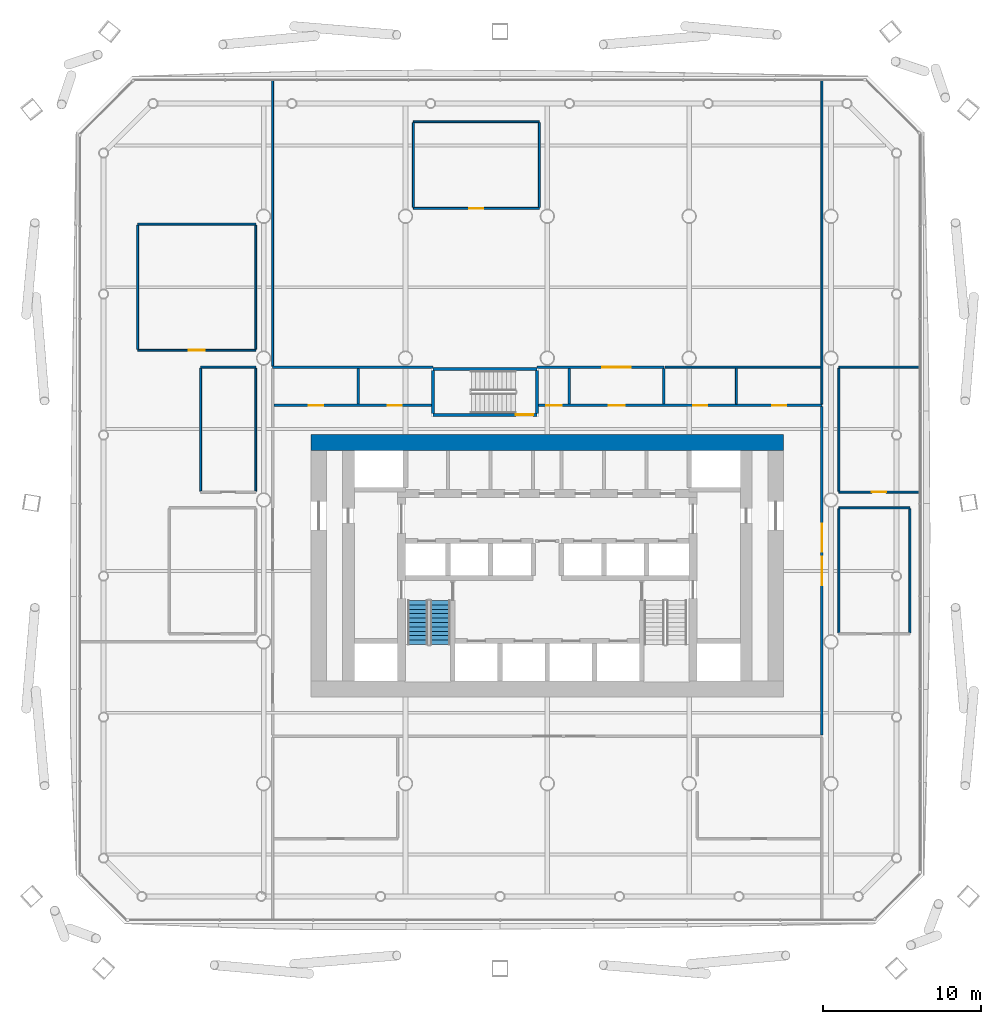
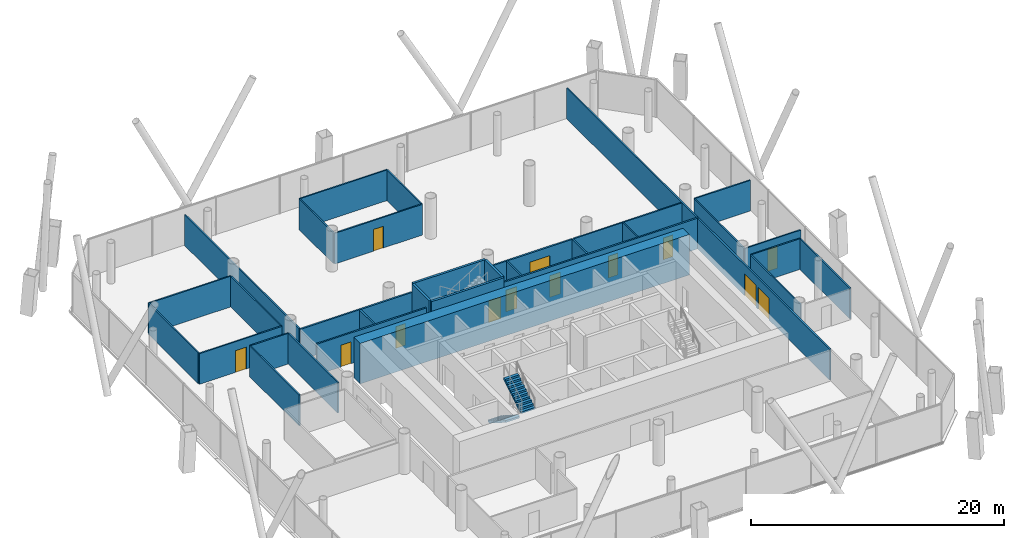
# One storey, part 19 of 25: 34 walls, 13 doors, 2 stair flights, 13 openings, 1 element without a shape of its own.
"""IFC4 building model written with IfcOpenShell, lengths in metres."""

import ifcopenshell
import ifcopenshell.guid

model = None  # the IFC model being written
_history = None  # IfcOwnerHistory: only IFC2X3 demands one
_inside = {}  # id of a spatial element -> (the spatial element, [elements in it])
_under = {}  # id of a project, library or spatial element -> (it, [spatial elements below it])
_declared = {}  # id of a project -> (the project, [libraries it declares])
_typed = {}  # id of a type object -> (the type object, [elements of that type])
_made_of = {}  # id of a material, layer set ... -> (it, [elements and type objects made of it])


def new_model(schema):
    """Start an empty IFC model of exactly this schema.

    Asked for "IFC4X3", IfcOpenShell would pick the latest addendum, in which some entities
    have other attributes; the version numbers below select the first issue.
    IFC2X3 requires an IfcOwnerHistory on every rooted entity: one is made here for all.
    """
    global model, _history
    if schema == "IFC4X3":
        model = ifcopenshell.file(schema_version=(4, 3, 0, 0))
    else:
        model = ifcopenshell.file(schema=schema)
    _inside.clear()
    _under.clear()
    _declared.clear()
    _typed.clear()
    _made_of.clear()
    _history = None
    if model.schema == "IFC2X3":
        org = make("IfcOrganization", Name="unknown")
        user = make(
            "IfcPersonAndOrganization",
            ThePerson=make("IfcPerson", FamilyName="unknown"),
            TheOrganization=org,
        )
        app = make(
            "IfcApplication",
            ApplicationDeveloper=org,
            Version="unknown",
            ApplicationFullName="unknown",
            ApplicationIdentifier="unknown",
        )
        _history = make(
            "IfcOwnerHistory",
            OwningUser=user,
            OwningApplication=app,
            ChangeAction="ADDED",
            CreationDate=0,
        )
    return model


def make(cls, **values):
    """One entity of the class cls with the attributes given. An attribute that is None is left unset."""
    return model.create_entity(
        cls, **{name: value for name, value in values.items() if value is not None}
    )


def rooted(cls, **values):
    """An entity with a GlobalId (a new one), such as an element, a storey or a relation."""
    return make(cls, GlobalId=ifcopenshell.guid.new(), OwnerHistory=_history, **values)


def si_unit(unit_type, name, prefix=None):
    """IfcSIUnit, for example si_unit("LENGTHUNIT", "METRE", prefix="MILLI")."""
    return make("IfcSIUnit", UnitType=unit_type, Prefix=prefix, Name=name)


def assignment(units):
    """IfcUnitAssignment: the units of a project."""
    return None if units is None else make("IfcUnitAssignment", Units=units)


def point(xyz):
    """IfcCartesianPoint."""
    return None if xyz is None else make("IfcCartesianPoint", Coordinates=xyz)


def direction(xyz):
    """IfcDirection."""
    return None if xyz is None else make("IfcDirection", DirectionRatios=xyz)


def frame(location, z_axis=None, x_axis=None):
    """IfcAxis2Placement3D, a coordinate frame: its origin and axes. An axis left out is left unset."""
    return make(
        "IfcAxis2Placement3D",
        Location=point(location),
        Axis=direction(z_axis),
        RefDirection=direction(x_axis),
    )


def frame_2d(location, x_axis=None):
    """IfcAxis2Placement2D, a coordinate frame in the plane: its origin and x axis."""
    return make(
        "IfcAxis2Placement2D", Location=point(location), RefDirection=direction(x_axis)
    )


def origin():
    """The frame at (0, 0, 0) with its axes left unset."""
    return frame((0.0, 0.0, 0.0))


def place(relative_to, where):
    """IfcLocalPlacement: puts the frame where relative to a parent placement (None: the world)."""
    return make(
        "IfcLocalPlacement", PlacementRelTo=relative_to, RelativePlacement=where
    )


def context(
    kind, dimensions, precision=None, world=None, true_north=None, identifier=None
):
    """IfcGeometricRepresentationContext, for example the 3D "Model" context."""
    return make(
        "IfcGeometricRepresentationContext",
        ContextIdentifier=identifier,
        ContextType=kind,
        CoordinateSpaceDimension=dimensions,
        Precision=precision,
        WorldCoordinateSystem=world,
        TrueNorth=true_north,
    )


def subcontext(parent, identifier, kind, view, scale=None):
    """IfcGeometricRepresentationSubContext, for example "Body" below "Model"."""
    return make(
        "IfcGeometricRepresentationSubContext",
        ContextIdentifier=identifier,
        ContextType=kind,
        ParentContext=parent,
        TargetScale=scale,
        TargetView=view,
    )


def project(units=None, contexts=None):
    """IfcProject with its units and contexts."""
    return rooted(
        "IfcProject",
        Name="project",
        RepresentationContexts=contexts,
        UnitsInContext=assignment(units),
    )


def spatial(cls, under=None, at=None, **own):
    """A site, building, storey or space (cls), placed at a placement, below another one or the project."""
    s = rooted(cls, ObjectPlacement=at, **own)
    if under is not None:
        _under.setdefault(under.id(), (under, []))[1].append(s)
    return s


def polyline(points):
    """IfcPolyline through the points."""
    return make("IfcPolyline", Points=[point(p) for p in points])


def profile(cls, at=None, kind="AREA", **sizes):
    """A parametric profile (cls). Its sizes go by their IFC names, for example OverallWidth=200.0."""
    return make(cls, ProfileType=kind, Position=at, **sizes)


def rectangle(**sizes):
    """IfcRectangleProfileDef."""
    return profile("IfcRectangleProfileDef", **sizes)


def outline(outer, holes=None, kind="AREA"):
    """IfcArbitraryClosedProfileDef: a profile drawn as a closed curve; with holes, ...WithVoids."""
    if holes is None:
        return make("IfcArbitraryClosedProfileDef", ProfileType=kind, OuterCurve=outer)
    return make(
        "IfcArbitraryProfileDefWithVoids",
        ProfileType=kind,
        OuterCurve=outer,
        InnerCurves=holes,
    )


def extrude(swept, where, along, depth):
    """IfcExtrudedAreaSolid: the profile swept, set in the frame where, extruded along a direction by depth."""
    return make(
        "IfcExtrudedAreaSolid",
        SweptArea=swept,
        Position=where,
        ExtrudedDirection=direction(along),
        Depth=depth,
    )


def shape(context_of_items, identifier, shape_type, items):
    """IfcShapeRepresentation: the items that make up one representation, for example the "Body"."""
    return make(
        "IfcShapeRepresentation",
        ContextOfItems=context_of_items,
        RepresentationIdentifier=identifier,
        RepresentationType=shape_type,
        Items=items,
    )


def material(Name=None, Category=None):
    """IfcMaterial."""
    return make("IfcMaterial", Name=Name, Category=Category)


def layer(
    of_material, thickness, ventilated=None, Name=None, Category=None, Priority=None
):
    """IfcMaterialLayer: one layer of a wall or slab, of a material (None: an air gap)."""
    return make(
        "IfcMaterialLayer",
        Material=of_material,
        LayerThickness=thickness,
        IsVentilated=ventilated,
        Name=Name,
        Category=Category,
        Priority=Priority,
    )


def layer_set(layers, Name=None):
    """IfcMaterialLayerSet."""
    return make("IfcMaterialLayerSet", MaterialLayers=layers, LayerSetName=Name)


def made_of(thing, what):
    """Note that an element or type object is made of a material, layer set ...; save() writes the relation."""
    if what is not None:
        _made_of.setdefault(what.id(), (what, []))[1].append(thing)
    return thing


def type_object(cls, material=None, **own):
    """A type object (cls), such as IfcWallType, which elements share."""
    return made_of(rooted(cls, **own), material)


def element(
    cls,
    number,
    at=None,
    inside=None,
    cuts=None,
    type_object=None,
    material=None,
    context=None,
    identifier="Body",
    shape_type=None,
    held_by="IfcProductDefinitionShape",
    body=None,
    shapes=None,
    **own,
):
    """One element of the class cls, such as IfcWall. Its Tag is "e" and its number.

    at: its placement. inside: the storey or other place that contains it. cuts: it is an
    opening in that element (IfcRelVoidsElement). A single representation is given by context,
    identifier, shape_type and body (its items); several are given by shapes. held_by: the class
    of the entity that holds the representations. save() writes the other relations.
    """
    e = rooted(cls, Tag="e%d" % number, ObjectPlacement=at, **own)
    if body is not None:
        shapes = [shape(context, identifier, shape_type, body)]
    if shapes is not None:
        e.Representation = make(held_by, Representations=shapes)
    if inside is not None:
        _inside.setdefault(inside.id(), (inside, []))[1].append(e)
    if cuts is not None:
        rooted(
            "IfcRelVoidsElement", RelatingBuildingElement=cuts, RelatedOpeningElement=e
        )
    if type_object is not None:
        _typed.setdefault(type_object.id(), (type_object, []))[1].append(e)
    return made_of(e, material)


def fill(opening, filler):
    """IfcRelFillsElement: the door or window that sits in an opening."""
    return rooted(
        "IfcRelFillsElement",
        RelatingOpeningElement=opening,
        RelatedBuildingElement=filler,
    )


def aggregate(whole, parts):
    """IfcRelAggregates: a whole, such as a stair, and the parts it consists of."""
    return rooted("IfcRelAggregates", RelatingObject=whole, RelatedObjects=parts)


def save(model, path):
    """Write the relations noted so far, then the file.

    IfcRelAggregates (storeys below a building ...), IfcRelContainedInSpatialStructure (elements
    in a storey), IfcRelDefinesByType, IfcRelAssociatesMaterial and IfcRelDeclares: one each for
    every whole, place, type object, material and project.
    """
    for whole, parts in _under.values():
        aggregate(whole, parts)
    for where, things in _inside.values():
        rooted(
            "IfcRelContainedInSpatialStructure",
            RelatedElements=things,
            RelatingStructure=where,
        )
    for kind, things in _typed.values():
        rooted("IfcRelDefinesByType", RelatedObjects=things, RelatingType=kind)
    for what, things in _made_of.values():
        rooted("IfcRelAssociatesMaterial", RelatedObjects=things, RelatingMaterial=what)
    for by, libraries in _declared.values():
        rooted("IfcRelDeclares", RelatingContext=by, RelatedDefinitions=libraries)
    model.write(path)


model = new_model("IFC4")

# Units and contexts
model_context = context("Model", 3, precision=1e-05, world=origin(), true_north=direction((0.0, 1.0)))
body_context = subcontext(model_context, "Body", "Model", "MODEL_VIEW")
ifc_project = project(units=[si_unit("LENGTHUNIT", "METRE"), si_unit("AREAUNIT", "SQUARE_METRE"), si_unit("VOLUMEUNIT", "CUBIC_METRE"), si_unit("PLANEANGLEUNIT", "RADIAN"), si_unit("MASSUNIT", "GRAM", prefix="KILO")], contexts=[model_context])

# Site, building, storey
site_placement = place(None, origin())
site = spatial("IfcSite", under=ifc_project, at=site_placement, CompositionType="ELEMENT")
building_placement = place(site_placement, origin())
building = spatial("IfcBuilding", under=site, at=building_placement, Name="Tskaro Facet Tower", CompositionType="ELEMENT")
storey_placement = place(building_placement, frame((0.0, 0.0, 34.199951171875)))
storey = spatial("IfcBuildingStorey", under=building, at=storey_placement, Name="L07", CompositionType="ELEMENT", Elevation=34.199951171875)

# Walls
ifc_material_1 = material(Name="Concrete C60/75", Category="concrete")
ifc_layer_1 = layer(ifc_material_1, 1.0, Name="Concrete C60/75")
ifc_layer_set_1 = layer_set([ifc_layer_1], Name="Concrete C60/75")
wall_type_1 = type_object("IfcWallType", Name="Core wall 1000", PredefinedType="SHEAR", material=ifc_layer_set_1)
wall_1_placement = place(storey_placement, frame((-15.0, 3.64990234375, 0.0), z_axis=(0.0, 0.0, 1.0), x_axis=(1.0, 0.0, 0.0)))
element("IfcWall", 1, at=wall_1_placement, inside=storey, type_object=wall_type_1, Name="Core wall CW-Z1N", PredefinedType="SHEAR", context=body_context, shape_type="SweptSolid", body=[
    extrude(rectangle(XDim=30.0, YDim=1.0, at=frame_2d((15.0, 0.0))), origin(), (0.0, 0.0, 1.0), 3.900146484375),
])
ifc_material_2 = material(Name="Gypsum board on steel studs", Category="steel")
ifc_layer_2 = layer(ifc_material_2, 0.125, Name="Gypsum board on steel studs")
ifc_layer_set_2 = layer_set([ifc_layer_2], Name="Gypsum board on steel studs")
wall_type_2 = type_object("IfcWallType", Name="PART", PredefinedType="PARTITIONING", material=ifc_layer_set_2)
wall_2_placement = place(storey_placement, frame((18.5, -0.5, 0.0), z_axis=(0.0, 0.0, 1.0), x_axis=(1.0, 0.0, 0.0)))
element("IfcWall", 2, at=wall_2_placement, inside=storey, type_object=wall_type_2, Name="Partition W016", PredefinedType="PARTITIONING", context=body_context, shape_type="SweptSolid", body=[
    extrude(rectangle(XDim=4.5, YDim=0.125, at=frame_2d((2.25, 0.0))), origin(), (0.0, 0.0, 1.0), 2.9599609375),
])

# Wall, opening, door
wall_3_placement = place(storey_placement, frame((18.5, 0.5, 0.0), z_axis=(0.0, 0.0, 1.0), x_axis=(1.0, 0.0, 0.0)))
wall_3 = element("IfcWall", 3, at=wall_3_placement, inside=storey, type_object=wall_type_2, Name="Partition W018", PredefinedType="PARTITIONING", context=body_context, shape_type="SweptSolid", body=[
    extrude(rectangle(XDim=5.10400390625, YDim=0.125, at=frame_2d((2.552001953125, 0.0))), origin(), (0.0, 0.0, 1.0), 2.9599609375),
])
opening_1_placement = place(wall_3_placement, frame((2.10205078125, 0.0, 0.0)))
opening_1 = element("IfcOpeningElement", 4, at=opening_1_placement, cuts=wall_3, Name="Opening T2-D28", PredefinedType="OPENING", context=body_context, shape_type="SweptSolid", body=[
    extrude(rectangle(XDim=0.89990234375, YDim=2.10009765625, at=frame_2d((0.449951171875, 1.050048828125))), frame((0.0, 0.072509765625, 0.0), z_axis=(0.0, -1.0, 0.0), x_axis=(1.0, 0.0, 0.0)), (0.0, 0.0, 1.0), 0.14501953125),
])
ifc_material_3 = material(Name="Timber", Category="wood")
door_type_1 = type_object("IfcDoorType", Name="D-ROOM", OperationType="NOTDEFINED", PredefinedType="DOOR", material=ifc_material_3)
door_1_placement = place(opening_1_placement, origin())
door_1 = element("IfcDoor", 5, at=door_1_placement, inside=storey, type_object=door_type_1, Name="Door T2-D28", OperationType="SINGLE_SWING_LEFT", OverallHeight=2.10009765625, OverallWidth=0.89990234375, PredefinedType="DOOR", context=body_context, shape_type="SweptSolid", body=[
    extrude(rectangle(XDim=0.89990234375, YDim=2.10009765625, at=frame_2d((0.449951171875, 1.050048828125))), frame((0.0, 0.02490234375, 0.0), z_axis=(0.0, -1.0, 0.0), x_axis=(1.0, 0.0, 0.0)), (0.0, 0.0, 1.0), 0.050048828125),
])
fill(opening_1, door_1)

# Walls
wall_4_placement = place(storey_placement, frame((-22.0, 8.425048828125, 0.0), z_axis=(0.0, 0.0, 1.0), x_axis=(1.0, 0.0, 0.0)))
element("IfcWall", 6, at=wall_4_placement, inside=storey, type_object=wall_type_2, Name="Partition W025", PredefinedType="PARTITIONING", context=body_context, shape_type="SweptSolid", body=[
    extrude(rectangle(XDim=3.5, YDim=0.125, at=frame_2d((1.75, 0.0))), origin(), (0.0, 0.0, 1.0), 2.9599609375),
])
wall_5_placement = place(storey_placement, frame((7.47509765625, 8.425048828125, 0.0), z_axis=(0.0, 0.0, 1.0), x_axis=(1.0, 0.0, 0.0)))
element("IfcWall", 7, at=wall_5_placement, inside=storey, type_object=wall_type_2, Name="Partition W028", PredefinedType="PARTITIONING", context=body_context, shape_type="SweptSolid", body=[
    extrude(rectangle(XDim=9.887451171875, YDim=0.125, at=frame_2d((4.94384765625, 0.0))), origin(), (0.0, 0.0, 1.0), 2.9599609375),
])
wall_6_placement = place(storey_placement, frame((18.5, 8.425048828125, 0.0), z_axis=(0.0, 0.0, 1.0), x_axis=(1.0, 0.0, 0.0)))
element("IfcWall", 8, at=wall_6_placement, inside=storey, type_object=wall_type_2, Name="Partition W029", PredefinedType="PARTITIONING", context=body_context, shape_type="SweptSolid", body=[
    extrude(rectangle(XDim=5.10400390625, YDim=0.125, at=frame_2d((2.552001953125, 0.0))), origin(), (0.0, 0.0, 1.0), 2.9599609375),
])

# Wall, opening, door
wall_7_placement = place(storey_placement, frame((-26.0, 9.5, 0.0), z_axis=(0.0, 0.0, 1.0), x_axis=(1.0, 0.0, 0.0)))
wall_7 = element("IfcWall", 9, at=wall_7_placement, inside=storey, type_object=wall_type_2, Name="Partition W030", PredefinedType="PARTITIONING", context=body_context, shape_type="SweptSolid", body=[
    extrude(rectangle(XDim=7.5, YDim=0.125, at=frame_2d((3.75, 0.0))), origin(), (0.0, 0.0, 1.0), 2.9599609375),
])
opening_2_placement = place(wall_7_placement, frame((3.25, 0.0, 0.0)))
opening_2 = element("IfcOpeningElement", 10, at=opening_2_placement, cuts=wall_7, Name="Opening T2-D38", PredefinedType="OPENING", context=body_context, shape_type="SweptSolid", body=[
    extrude(rectangle(XDim=1.0, YDim=2.10009765625, at=frame_2d((0.5, 1.050048828125))), frame((0.0, 0.072509765625, 0.0), z_axis=(0.0, -1.0, 0.0), x_axis=(1.0, 0.0, 0.0)), (0.0, 0.0, 1.0), 0.14501953125),
])
door_type_2 = type_object("IfcDoorType", Name="D-ROOM-WIDE", OperationType="NOTDEFINED", PredefinedType="DOOR", material=ifc_material_3)
door_2_placement = place(opening_2_placement, origin())
door_2 = element("IfcDoor", 11, at=door_2_placement, inside=storey, type_object=door_type_2, Name="Door T2-D38", OperationType="SINGLE_SWING_LEFT", OverallHeight=2.10009765625, OverallWidth=1.0, PredefinedType="DOOR", context=body_context, shape_type="SweptSolid", body=[
    extrude(rectangle(XDim=1.0, YDim=2.10009765625, at=frame_2d((0.5, 1.050048828125))), frame((0.0, 0.02490234375, 0.0), z_axis=(0.0, -1.0, 0.0), x_axis=(1.0, 0.0, 0.0)), (0.0, 0.0, 1.0), 0.050048828125),
])
fill(opening_2, door_2)

# Wall
wall_8_placement = place(storey_placement, frame((-26.0, 17.5, 0.0), z_axis=(0.0, 0.0, 1.0), x_axis=(1.0, 0.0, 0.0)))
element("IfcWall", 12, at=wall_8_placement, inside=storey, type_object=wall_type_2, Name="Partition W031", PredefinedType="PARTITIONING", context=body_context, shape_type="SweptSolid", body=[
    extrude(rectangle(XDim=7.5, YDim=0.125, at=frame_2d((3.75, 0.0))), origin(), (0.0, 0.0, 1.0), 2.9599609375),
])

# Wall, opening, door
wall_9_placement = place(storey_placement, frame((-8.5, 18.5, 0.0), z_axis=(0.0, 0.0, 1.0), x_axis=(1.0, 0.0, 0.0)))
wall_9 = element("IfcWall", 13, at=wall_9_placement, inside=storey, type_object=wall_type_2, Name="Partition W032", PredefinedType="PARTITIONING", context=body_context, shape_type="SweptSolid", body=[
    extrude(rectangle(XDim=8.0, YDim=0.125, at=frame_2d((4.0, 0.0))), origin(), (0.0, 0.0, 1.0), 2.9599609375),
])
opening_3_placement = place(wall_9_placement, frame((3.550048828125, 0.0, 0.0)))
opening_3 = element("IfcOpeningElement", 14, at=opening_3_placement, cuts=wall_9, Name="Opening T2-D39", PredefinedType="OPENING", context=body_context, shape_type="SweptSolid", body=[
    extrude(rectangle(XDim=0.89990234375, YDim=2.10009765625, at=frame_2d((0.449951171875, 1.050048828125))), frame((0.0, 0.072509765625, 0.0), z_axis=(0.0, -1.0, 0.0), x_axis=(1.0, 0.0, 0.0)), (0.0, 0.0, 1.0), 0.14501953125),
])
door_3_placement = place(opening_3_placement, origin())
door_3 = element("IfcDoor", 15, at=door_3_placement, inside=storey, type_object=door_type_1, Name="Door T2-D39", OperationType="SINGLE_SWING_LEFT", OverallHeight=2.10009765625, OverallWidth=0.89990234375, PredefinedType="DOOR", context=body_context, shape_type="SweptSolid", body=[
    extrude(rectangle(XDim=0.89990234375, YDim=2.10009765625, at=frame_2d((0.449951171875, 1.050048828125))), frame((0.0, 0.02490234375, 0.0), z_axis=(0.0, -1.0, 0.0), x_axis=(1.0, 0.0, 0.0)), (0.0, 0.0, 1.0), 0.050048828125),
])
fill(opening_3, door_3)

# Walls
wall_10_placement = place(storey_placement, frame((-8.5, 24.0, 0.0), z_axis=(0.0, 0.0, 1.0), x_axis=(1.0, 0.0, 0.0)))
element("IfcWall", 16, at=wall_10_placement, inside=storey, type_object=wall_type_2, Name="Partition W033", PredefinedType="PARTITIONING", context=body_context, shape_type="SweptSolid", body=[
    extrude(rectangle(XDim=8.0, YDim=0.125, at=frame_2d((4.0, 0.0))), origin(), (0.0, 0.0, 1.0), 2.9599609375),
])
wall_11_placement = place(storey_placement, frame((-26.0, 9.5625, 0.0), z_axis=(0.0, 0.0, 1.0), x_axis=(0.0, 1.0, 0.0)))
element("IfcWall", 17, at=wall_11_placement, inside=storey, type_object=wall_type_2, Name="Partition W034", PredefinedType="PARTITIONING", context=body_context, shape_type="SweptSolid", body=[
    extrude(rectangle(XDim=7.875, YDim=0.125, at=frame_2d((3.9375, 0.0))), origin(), (0.0, 0.0, 1.0), 2.9599609375),
])
for number, where, z_axis, x_axis, name in (
    (18, (-22.0, 0.5625, 0.0), (0.0, 0.0, 1.0), (0.0, 1.0, 0.0), "Partition W036"),
    (19, (-18.5, 0.5625, 0.0), (0.0, 0.0, 1.0), (0.0, 1.0, 0.0), "Partition W038"),
):
    element("IfcWall", number, at=place(storey_placement, frame(where, z_axis=z_axis, x_axis=x_axis)), inside=storey, type_object=wall_type_2, Name=name, PredefinedType="PARTITIONING", context=body_context, shape_type="SweptSolid", body=[
        extrude(rectangle(XDim=7.800048828125, YDim=0.125, at=frame_2d((3.89990234375, 0.0))), origin(), (0.0, 0.0, 1.0), 2.9599609375),
    ])
wall_12_placement = place(storey_placement, frame((-18.5, 9.5625, 0.0), z_axis=(0.0, 0.0, 1.0), x_axis=(0.0, 1.0, 0.0)))
element("IfcWall", 20, at=wall_12_placement, inside=storey, type_object=wall_type_2, Name="Partition W039", PredefinedType="PARTITIONING", context=body_context, shape_type="SweptSolid", body=[
    extrude(rectangle(XDim=7.875, YDim=0.125, at=frame_2d((3.9375, 0.0))), origin(), (0.0, 0.0, 1.0), 2.9599609375),
])
wall_13_placement = place(storey_placement, frame((-17.425048828125, 8.5, 0.0), z_axis=(0.0, 0.0, 1.0), x_axis=(0.0, 1.0, 0.0)))
element("IfcWall", 21, at=wall_13_placement, inside=storey, type_object=wall_type_2, Name="Partition W042", PredefinedType="PARTITIONING", context=body_context, shape_type="SweptSolid", body=[
    extrude(rectangle(XDim=18.10400390625, YDim=0.125, at=frame_2d((9.052001953125, 0.0))), origin(), (0.0, 0.0, 1.0), 2.9599609375),
])
for number, where, z_axis, x_axis, name in (
    (22, (-8.5, 18.5625, 0.0), (0.0, 0.0, 1.0), (0.0, 1.0, 0.0), "Partition W047"),
    (23, (-0.5, 18.5625, 0.0), (0.0, 0.0, 1.0), (0.0, 1.0, 0.0), "Partition W058"),
):
    element("IfcWall", number, at=place(storey_placement, frame(where, z_axis=z_axis, x_axis=x_axis)), inside=storey, type_object=wall_type_2, Name=name, PredefinedType="PARTITIONING", context=body_context, shape_type="SweptSolid", body=[
        extrude(rectangle(XDim=5.375, YDim=0.125, at=frame_2d((2.6875, 0.0))), origin(), (0.0, 0.0, 1.0), 2.9599609375),
    ])
wall_14_placement = place(storey_placement, frame((12.0, 6.074951171875, 0.0), z_axis=(0.0, 0.0, 1.0), x_axis=(0.0, 1.0, 0.0)))
element("IfcWall", 24, at=wall_14_placement, inside=storey, type_object=wall_type_2, Name="Partition W073", PredefinedType="PARTITIONING", context=body_context, shape_type="SweptSolid", body=[
    extrude(rectangle(XDim=2.28759765625, YDim=0.125, at=frame_2d((1.143798828125, 0.0))), origin(), (0.0, 0.0, 1.0), 2.9599609375),
])
wall_15_placement = place(storey_placement, frame((17.425048828125, 6.074951171875, 0.0), z_axis=(0.0, 0.0, 1.0), x_axis=(0.0, 1.0, 0.0)))
element("IfcWall", 25, at=wall_15_placement, inside=storey, type_object=wall_type_2, Name="Partition W076", PredefinedType="PARTITIONING", context=body_context, shape_type="SweptSolid", body=[
    extrude(rectangle(XDim=20.529052734375, YDim=0.125, at=frame_2d((10.2646484375, 0.0))), origin(), (0.0, 0.0, 1.0), 2.9599609375),
])
wall_16_placement = place(storey_placement, frame((18.5, -8.4375, 0.0), z_axis=(0.0, 0.0, 1.0), x_axis=(0.0, 1.0, 0.0)))
element("IfcWall", 26, at=wall_16_placement, inside=storey, type_object=wall_type_2, Name="Partition W077", PredefinedType="PARTITIONING", context=body_context, shape_type="SweptSolid", body=[
    extrude(rectangle(XDim=7.875, YDim=0.125, at=frame_2d((3.9375, 0.0))), origin(), (0.0, 0.0, 1.0), 2.9599609375),
])
wall_17_placement = place(storey_placement, frame((18.5, 0.5625, 0.0), z_axis=(0.0, 0.0, 1.0), x_axis=(0.0, 1.0, 0.0)))
element("IfcWall", 27, at=wall_17_placement, inside=storey, type_object=wall_type_2, Name="Partition W078", PredefinedType="PARTITIONING", context=body_context, shape_type="SweptSolid", body=[
    extrude(rectangle(XDim=7.800048828125, YDim=0.125, at=frame_2d((3.89990234375, 0.0))), origin(), (0.0, 0.0, 1.0), 2.9599609375),
])
wall_18_placement = place(storey_placement, frame((23.0, -8.4375, 0.0), z_axis=(0.0, 0.0, 1.0), x_axis=(0.0, 1.0, 0.0)))
element("IfcWall", 28, at=wall_18_placement, inside=storey, type_object=wall_type_2, Name="Partition W079", PredefinedType="PARTITIONING", context=body_context, shape_type="SweptSolid", body=[
    extrude(rectangle(XDim=7.875, YDim=0.125, at=frame_2d((3.9375, 0.0))), origin(), (0.0, 0.0, 1.0), 2.9599609375),
])

# Wall, openings, doors
ifc_layer_3 = layer(ifc_material_2, 0.14990234375, Name="Gypsum board on steel studs")
ifc_layer_set_3 = layer_set([ifc_layer_3], Name="Gypsum board on steel studs")
wall_type_3 = type_object("IfcWallType", Name="PART-CORR", PredefinedType="PARTITIONING", material=ifc_layer_set_3)
wall_19_placement = place(storey_placement, frame((-17.35009765625, 6.0, 0.0), z_axis=(0.0, 0.0, 1.0), x_axis=(1.0, 0.0, 0.0)))
wall_19 = element("IfcWall", 29, at=wall_19_placement, inside=storey, type_object=wall_type_3, Name="Corridor wall W022", PredefinedType="PARTITIONING", context=body_context, shape_type="SweptSolid", body=[
    extrude(rectangle(XDim=10.0, YDim=0.14990234375, at=frame_2d((5.0, 0.0))), origin(), (0.0, 0.0, 1.0), 2.9599609375),
])
opening_4_placement = place(wall_19_placement, frame((2.22509765625, 0.0, 0.0)))
opening_4 = element("IfcOpeningElement", 30, at=opening_4_placement, cuts=wall_19, Name="Opening T2-D31", PredefinedType="OPENING", context=body_context, shape_type="SweptSolid", body=[
    extrude(rectangle(XDim=0.89990234375, YDim=2.10009765625, at=frame_2d((0.449951171875, 1.050048828125))), frame((0.0, 0.0849609375, 0.0), z_axis=(0.0, -1.0, 0.0), x_axis=(1.0, 0.0, 0.0)), (0.0, 0.0, 1.0), 0.169921875),
])
opening_5_placement = place(wall_19_placement, frame((7.22509765625, 0.0, 0.0)))
opening_5 = element("IfcOpeningElement", 31, at=opening_5_placement, cuts=wall_19, Name="Opening T2-D32", PredefinedType="OPENING", context=body_context, shape_type="SweptSolid", body=[
    extrude(rectangle(XDim=0.89990234375, YDim=2.10009765625, at=frame_2d((0.449951171875, 1.050048828125))), frame((0.0, 0.0849609375, 0.0), z_axis=(0.0, -1.0, 0.0), x_axis=(1.0, 0.0, 0.0)), (0.0, 0.0, 1.0), 0.169921875),
])
door_4_placement = place(opening_4_placement, origin())
door_4 = element("IfcDoor", 32, at=door_4_placement, inside=storey, type_object=door_type_1, Name="Door T2-D31", OperationType="SINGLE_SWING_LEFT", OverallHeight=2.10009765625, OverallWidth=0.89990234375, PredefinedType="DOOR", context=body_context, shape_type="SweptSolid", body=[
    extrude(rectangle(XDim=0.89990234375, YDim=2.10009765625, at=frame_2d((0.449951171875, 1.050048828125))), frame((0.0, 0.02490234375, 0.0), z_axis=(0.0, -1.0, 0.0), x_axis=(1.0, 0.0, 0.0)), (0.0, 0.0, 1.0), 0.050048828125),
])
fill(opening_4, door_4)
door_5_placement = place(opening_5_placement, origin())
door_5 = element("IfcDoor", 33, at=door_5_placement, inside=storey, type_object=door_type_1, Name="Door T2-D32", OperationType="SINGLE_SWING_LEFT", OverallHeight=2.10009765625, OverallWidth=0.89990234375, PredefinedType="DOOR", context=body_context, shape_type="SweptSolid", body=[
    extrude(rectangle(XDim=0.89990234375, YDim=2.10009765625, at=frame_2d((0.449951171875, 1.050048828125))), frame((0.0, 0.02490234375, 0.0), z_axis=(0.0, -1.0, 0.0), x_axis=(1.0, 0.0, 0.0)), (0.0, 0.0, 1.0), 0.050048828125),
])
fill(opening_5, door_5)

wall_20_placement = place(storey_placement, frame((17.425048828125, 6.0, 0.0), z_axis=(0.0, 0.0, 1.0), x_axis=(-1.0, 0.0, 0.0)))
wall_20 = element("IfcWall", 34, at=wall_20_placement, inside=storey, type_object=wall_type_3, Name="Corridor wall W023", PredefinedType="PARTITIONING", context=body_context, shape_type="SweptSolid", body=[
    extrude(rectangle(XDim=17.97509765625, YDim=0.14990234375, at=frame_2d((8.987548828125, 0.0))), origin(), (0.0, 0.0, 1.0), 2.9599609375),
])
opening_6_placement = place(wall_20_placement, frame((12.52490234375, 0.0, 0.0)))
opening_6 = element("IfcOpeningElement", 35, at=opening_6_placement, cuts=wall_20, Name="Opening T2-D34", PredefinedType="OPENING", context=body_context, shape_type="SweptSolid", body=[
    extrude(rectangle(XDim=1.0, YDim=2.10009765625, at=frame_2d((0.5, 1.050048828125))), frame((0.0, 0.0849609375, 0.0), z_axis=(0.0, -1.0, 0.0), x_axis=(1.0, 0.0, 0.0)), (0.0, 0.0, 1.0), 0.169921875),
])
opening_7_placement = place(wall_20_placement, frame((16.5, 0.0, 0.0)))
opening_7 = element("IfcOpeningElement", 36, at=opening_7_placement, cuts=wall_20, Name="Opening T2-D33", PredefinedType="OPENING", context=body_context, shape_type="SweptSolid", body=[
    extrude(rectangle(XDim=1.0, YDim=2.10009765625, at=frame_2d((0.5, 1.050048828125))), frame((0.0, 0.0849609375, 0.0), z_axis=(0.0, -1.0, 0.0), x_axis=(1.0, 0.0, 0.0)), (0.0, 0.0, 1.0), 0.169921875),
])
opening_8_placement = place(wall_20_placement, frame((7.27490234375, 0.0, 0.0)))
opening_8 = element("IfcOpeningElement", 37, at=opening_8_placement, cuts=wall_20, Name="Opening T2-D35", PredefinedType="OPENING", context=body_context, shape_type="SweptSolid", body=[
    extrude(rectangle(XDim=0.89990234375, YDim=2.10009765625, at=frame_2d((0.449951171875, 1.050048828125))), frame((0.0, 0.0849609375, 0.0), z_axis=(0.0, -1.0, 0.0), x_axis=(1.0, 0.0, 0.0)), (0.0, 0.0, 1.0), 0.169921875),
])
opening_9_placement = place(wall_20_placement, frame((2.262451171875, 0.0, 0.0)))
opening_9 = element("IfcOpeningElement", 38, at=opening_9_placement, cuts=wall_20, Name="Opening T2-D36", PredefinedType="OPENING", context=body_context, shape_type="SweptSolid", body=[
    extrude(rectangle(XDim=0.89990234375, YDim=2.10009765625, at=frame_2d((0.449951171875, 1.050048828125))), frame((0.0, 0.0849609375, 0.0), z_axis=(0.0, -1.0, 0.0), x_axis=(1.0, 0.0, 0.0)), (0.0, 0.0, 1.0), 0.169921875),
])
door_type_3 = type_object("IfcDoorType", Name="D-ENTRY", OperationType="NOTDEFINED", PredefinedType="DOOR", material=ifc_material_3)
door_6_placement = place(opening_6_placement, origin())
door_6 = element("IfcDoor", 39, at=door_6_placement, inside=storey, type_object=door_type_3, Name="Door T2-D34", OperationType="SINGLE_SWING_RIGHT", OverallHeight=2.10009765625, OverallWidth=1.0, PredefinedType="DOOR", context=body_context, shape_type="SweptSolid", body=[
    extrude(rectangle(XDim=1.0, YDim=2.10009765625, at=frame_2d((0.5, 1.050048828125))), frame((0.0, 0.02490234375, 0.0), z_axis=(0.0, -1.0, 0.0), x_axis=(1.0, 0.0, 0.0)), (0.0, 0.0, 1.0), 0.050048828125),
])
fill(opening_6, door_6)
door_7_placement = place(opening_8_placement, origin())
door_7 = element("IfcDoor", 40, at=door_7_placement, inside=storey, type_object=door_type_1, Name="Door T2-D35", OperationType="SINGLE_SWING_RIGHT", OverallHeight=2.10009765625, OverallWidth=0.89990234375, PredefinedType="DOOR", context=body_context, shape_type="SweptSolid", body=[
    extrude(rectangle(XDim=0.89990234375, YDim=2.10009765625, at=frame_2d((0.449951171875, 1.050048828125))), frame((0.0, 0.02490234375, 0.0), z_axis=(0.0, -1.0, 0.0), x_axis=(1.0, 0.0, 0.0)), (0.0, 0.0, 1.0), 0.050048828125),
])
fill(opening_8, door_7)
door_8_placement = place(opening_9_placement, origin())
door_8 = element("IfcDoor", 41, at=door_8_placement, inside=storey, type_object=door_type_1, Name="Door T2-D36", OperationType="SINGLE_SWING_RIGHT", OverallHeight=2.10009765625, OverallWidth=0.89990234375, PredefinedType="DOOR", context=body_context, shape_type="SweptSolid", body=[
    extrude(rectangle(XDim=0.89990234375, YDim=2.10009765625, at=frame_2d((0.449951171875, 1.050048828125))), frame((0.0, 0.02490234375, 0.0), z_axis=(0.0, -1.0, 0.0), x_axis=(1.0, 0.0, 0.0)), (0.0, 0.0, 1.0), 0.050048828125),
])
fill(opening_9, door_8)
door_9_placement = place(opening_7_placement, origin())
door_9 = element("IfcDoor", 42, at=door_9_placement, inside=storey, type_object=door_type_2, Name="Door T2-D33", OperationType="SINGLE_SWING_RIGHT", OverallHeight=2.10009765625, OverallWidth=1.0, PredefinedType="DOOR", context=body_context, shape_type="SweptSolid", body=[
    extrude(rectangle(XDim=1.0, YDim=2.10009765625, at=frame_2d((0.5, 1.050048828125))), frame((0.0, 0.02490234375, 0.0), z_axis=(0.0, -1.0, 0.0), x_axis=(1.0, 0.0, 0.0)), (0.0, 0.0, 1.0), 0.050048828125),
])
fill(opening_7, door_9)

# Wall
wall_21_placement = place(storey_placement, frame((-17.425048828125, 8.425048828125, 0.0), z_axis=(0.0, 0.0, 1.0), x_axis=(1.0, 0.0, 0.0)))
element("IfcWall", 43, at=wall_21_placement, inside=storey, type_object=wall_type_3, Name="Corridor wall W026", PredefinedType="PARTITIONING", context=body_context, shape_type="SweptSolid", body=[
    extrude(rectangle(XDim=10.175048828125, YDim=0.14990234375, at=frame_2d((5.08740234375, 0.0))), origin(), (0.0, 0.0, 1.0), 2.9599609375),
])

# Wall, opening, door
wall_22_placement = place(storey_placement, frame((-0.64990234375, 8.425048828125, 0.0), z_axis=(0.0, 0.0, 1.0), x_axis=(1.0, 0.0, 0.0)))
wall_22 = element("IfcWall", 44, at=wall_22_placement, inside=storey, type_object=wall_type_3, Name="Corridor wall W027", PredefinedType="PARTITIONING", context=body_context, shape_type="SweptSolid", body=[
    extrude(rectangle(XDim=8.0498046875, YDim=0.14990234375, at=frame_2d((4.02490234375, 0.0))), origin(), (0.0, 0.0, 1.0), 2.9599609375),
])
opening_10_placement = place(wall_22_placement, frame((4.14990234375, 0.0, 0.0)))
opening_10 = element("IfcOpeningElement", 45, at=opening_10_placement, cuts=wall_22, Name="Opening T2-D37", PredefinedType="OPENING", context=body_context, shape_type="SweptSolid", body=[
    extrude(rectangle(XDim=1.800048828125, YDim=2.10009765625, at=frame_2d((0.89990234375, 1.050048828125))), frame((0.0, 0.0849609375, 0.0), z_axis=(0.0, -1.0, 0.0), x_axis=(1.0, 0.0, 0.0)), (0.0, 0.0, 1.0), 0.169921875),
])
ifc_material_4 = material(Name="Glass", Category="glass")
door_type_4 = type_object("IfcDoorType", Name="D-ENTRY-PAIR", OperationType="NOTDEFINED", PredefinedType="DOOR", material=ifc_material_4)
door_10_placement = place(opening_10_placement, origin())
door_10 = element("IfcDoor", 46, at=door_10_placement, inside=storey, type_object=door_type_4, Name="Door T2-D37", OperationType="DOUBLE_DOOR_SINGLE_SWING", OverallHeight=2.10009765625, OverallWidth=1.800048828125, PredefinedType="DOOR", context=body_context, shape_type="SweptSolid", body=[
    extrude(rectangle(XDim=1.800048828125, YDim=2.10009765625, at=frame_2d((0.89990234375, 1.050048828125))), frame((0.0, 0.02490234375, 0.0), z_axis=(0.0, -1.0, 0.0), x_axis=(1.0, 0.0, 0.0)), (0.0, 0.0, 1.0), 0.050048828125),
])
fill(opening_10, door_10)

# Walls
for number, where, z_axis, x_axis, name in (
    (47, (-12.0, 6.074951171875, 0.0), (0.0, 0.0, 1.0), (0.0, 1.0, 0.0), "Corridor wall W043"),
    (48, (1.39990234375, 6.074951171875, 0.0), (0.0, 0.0, 1.0), (0.0, 1.0, 0.0), "Corridor wall W062"),
    (49, (7.39990234375, 6.074951171875, 0.0), (0.0, 0.0, 1.0), (0.0, 1.0, 0.0), "Corridor wall W069"),
):
    element("IfcWall", number, at=place(storey_placement, frame(where, z_axis=z_axis, x_axis=x_axis)), inside=storey, type_object=wall_type_3, Name=name, PredefinedType="PARTITIONING", context=body_context, shape_type="SweptSolid", body=[
        extrude(rectangle(XDim=2.275146484375, YDim=0.14990234375, at=frame_2d((1.1376953125, 0.0))), origin(), (0.0, 0.0, 1.0), 2.9599609375),
    ])

# Wall, openings, doors
wall_23_placement = place(storey_placement, frame((17.425048828125, -14.925048828125, 0.0), z_axis=(0.0, 0.0, 1.0), x_axis=(0.0, 1.0, 0.0)))
wall_23 = element("IfcWall", 50, at=wall_23_placement, inside=storey, type_object=wall_type_3, Name="Corridor wall W075", PredefinedType="PARTITIONING", context=body_context, shape_type="SweptSolid", body=[
    extrude(rectangle(XDim=20.85009765625, YDim=0.14990234375, at=frame_2d((10.425048828125, 0.0))), origin(), (0.0, 0.0, 1.0), 2.9599609375),
])
opening_11_placement = place(wall_23_placement, frame((9.52490234375, 0.0, 0.0)))
opening_11 = element("IfcOpeningElement", 51, at=opening_11_placement, cuts=wall_23, Name="Opening T2-D10", PredefinedType="OPENING", context=body_context, shape_type="SweptSolid", body=[
    extrude(rectangle(XDim=1.800048828125, YDim=2.10009765625, at=frame_2d((0.89990234375, 1.050048828125))), frame((0.0, 0.0849609375, 0.0), z_axis=(0.0, -1.0, 0.0), x_axis=(1.0, 0.0, 0.0)), (0.0, 0.0, 1.0), 0.169921875),
])
opening_12_placement = place(wall_23_placement, frame((11.625, 0.0, 0.0)))
opening_12 = element("IfcOpeningElement", 52, at=opening_12_placement, cuts=wall_23, Name="Opening T2-D12", PredefinedType="OPENING", context=body_context, shape_type="SweptSolid", body=[
    extrude(rectangle(XDim=1.800048828125, YDim=2.10009765625, at=frame_2d((0.89990234375, 1.050048828125))), frame((0.0, 0.0849609375, 0.0), z_axis=(0.0, -1.0, 0.0), x_axis=(1.0, 0.0, 0.0)), (0.0, 0.0, 1.0), 0.169921875),
])
door_11_placement = place(opening_11_placement, origin())
door_11 = element("IfcDoor", 53, at=door_11_placement, inside=storey, type_object=door_type_4, Name="Door T2-D10", OperationType="DOUBLE_DOOR_SINGLE_SWING", OverallHeight=2.10009765625, OverallWidth=1.800048828125, PredefinedType="DOOR", context=body_context, shape_type="SweptSolid", body=[
    extrude(rectangle(XDim=1.800048828125, YDim=2.10009765625, at=frame_2d((0.89990234375, 1.050048828125))), frame((0.0, 0.02490234375, 0.0), z_axis=(0.0, -1.0, 0.0), x_axis=(1.0, 0.0, 0.0)), (0.0, 0.0, 1.0), 0.050048828125),
])
fill(opening_11, door_11)
door_12_placement = place(opening_12_placement, origin())
door_12 = element("IfcDoor", 54, at=door_12_placement, inside=storey, type_object=door_type_4, Name="Door T2-D12", OperationType="DOUBLE_DOOR_SINGLE_SWING", OverallHeight=2.10009765625, OverallWidth=1.800048828125, PredefinedType="DOOR", context=body_context, shape_type="SweptSolid", body=[
    extrude(rectangle(XDim=1.800048828125, YDim=2.10009765625, at=frame_2d((0.89990234375, 1.050048828125))), frame((0.0, 0.02490234375, 0.0), z_axis=(0.0, -1.0, 0.0), x_axis=(1.0, 0.0, 0.0)), (0.0, 0.0, 1.0), 0.050048828125),
])
fill(opening_12, door_12)

# Wall, opening, door
ifc_layer_4 = layer(ifc_material_1, 0.199951171875, Name="Concrete C60/75")
ifc_layer_set_4 = layer_set([ifc_layer_4], Name="Concrete C60/75")
wall_type_4 = type_object("IfcWallType", Name="STAIR-WALL", PredefinedType="SHEAR", material=ifc_layer_set_4)
wall_24_placement = place(storey_placement, frame((-7.25, 5.39990234375, 0.0), z_axis=(0.0, 0.0, 1.0), x_axis=(1.0, 0.0, 0.0)))
wall_24 = element("IfcWall", 55, at=wall_24_placement, inside=storey, type_object=wall_type_4, Name="Stair wall W021", PredefinedType="SHEAR", context=body_context, shape_type="SweptSolid", body=[
    extrude(rectangle(XDim=6.60009765625, YDim=0.199951171875, at=frame_2d((3.300048828125, 0.0))), origin(), (0.0, 0.0, 1.0), 3.900146484375),
])
opening_13_placement = place(wall_24_placement, frame((5.25, 0.0, 0.0)))
opening_13 = element("IfcOpeningElement", 56, at=opening_13_placement, cuts=wall_24, Name="Opening ST-3-D1", PredefinedType="OPENING", context=body_context, shape_type="SweptSolid", body=[
    extrude(rectangle(XDim=1.10009765625, YDim=2.10009765625, at=frame_2d((0.550048828125, 1.050048828125))), frame((0.0, 0.10986328125, 0.0), z_axis=(0.0, -1.0, 0.0), x_axis=(1.0, 0.0, 0.0)), (0.0, 0.0, 1.0), 0.219970703125),
])
ifc_material_5 = material(Name="Steel", Category="steel")
door_type_5 = type_object("IfcDoorType", Name="D-STAIR", OperationType="NOTDEFINED", PredefinedType="DOOR", material=ifc_material_5)
door_13_placement = place(opening_13_placement, origin())
door_13 = element("IfcDoor", 57, at=door_13_placement, inside=storey, type_object=door_type_5, Name="Stair door 3", OperationType="SINGLE_SWING_LEFT", OverallHeight=2.10009765625, OverallWidth=1.10009765625, PredefinedType="DOOR", context=body_context, shape_type="SweptSolid", body=[
    extrude(rectangle(XDim=1.10009765625, YDim=2.10009765625, at=frame_2d((0.550048828125, 1.050048828125))), frame((0.0, 0.02490234375, 0.0), z_axis=(0.0, -1.0, 0.0), x_axis=(1.0, 0.0, 0.0)), (0.0, 0.0, 1.0), 0.050048828125),
])
fill(opening_13, door_13)

# Walls
wall_25_placement = place(storey_placement, frame((-7.25, 8.300048828125, 0.0), z_axis=(0.0, 0.0, 1.0), x_axis=(1.0, 0.0, 0.0)))
element("IfcWall", 58, at=wall_25_placement, inside=storey, type_object=wall_type_4, Name="Stair wall W024", PredefinedType="SHEAR", context=body_context, shape_type="SweptSolid", body=[
    extrude(rectangle(XDim=6.60009765625, YDim=0.199951171875, at=frame_2d((3.300048828125, 0.0))), origin(), (0.0, 0.0, 1.0), 3.900146484375),
])
for number, where, z_axis, x_axis, name in (
    (59, (-7.25, 5.5, 0.0), (0.0, 0.0, 1.0), (0.0, 1.0, 0.0), "Stair wall W048"),
    (60, (-0.64990234375, 5.5, 0.0), (0.0, 0.0, 1.0), (0.0, 1.0, 0.0), "Stair wall W057"),
):
    element("IfcWall", number, at=place(storey_placement, frame(where, z_axis=z_axis, x_axis=x_axis)), inside=storey, type_object=wall_type_4, Name=name, PredefinedType="SHEAR", context=body_context, shape_type="SweptSolid", body=[
        extrude(rectangle(XDim=2.699951171875, YDim=0.199951171875, at=frame_2d((1.35009765625, 0.0))), origin(), (0.0, 0.0, 1.0), 3.900146484375),
    ])

# Stair, stair flights
ifc_material_6 = material(Name="Concrete C40/50", Category="concrete")
stair_type = type_object("IfcStairType", Name="ST-TWR", PredefinedType="HALF_TURN_STAIR", material=ifc_material_6)
stair_placement = place(storey_placement, origin())
stair = element("IfcStair", 61, at=stair_placement, inside=storey, type_object=stair_type, Name="L07 Exit stair 1", PredefinedType="HALF_TURN_STAIR")
stair_flight_type = type_object("IfcStairFlightType", Name="SFL-RC", PredefinedType="STRAIGHT", material=ifc_material_6)
stair_flight_1_placement = place(storey_placement, frame((-8.21240234375, -6.375, 0.0), z_axis=(0.0, 0.0, 1.0), x_axis=(0.0, -1.0, 0.0)))
stair_flight_1 = element("IfcStairFlight", 62, at=stair_flight_1_placement, type_object=stair_flight_type, Name="ST-1 flight 1", NumberOfRisers=11, NumberOfTreads=10, PredefinedType="STRAIGHT", RiserHeight=0.177272727, TreadLength=0.28, context=body_context, shape_type="SweptSolid", body=[
    extrude(outline(polyline([(0.0, 0.0), (0.0, 0.17724609375), (0.280029296875, 0.17724609375), (0.280029296875, 0.3544921875), (0.56005859375, 0.3544921875), (0.56005859375, 0.53173828125), (0.840087890625, 0.53173828125), (0.840087890625, 0.708984375), (1.1201171875, 0.708984375), (1.1201171875, 0.886474609375), (1.39990234375, 0.886474609375), (1.39990234375, 1.063720703125), (1.679931640625, 1.063720703125), (1.679931640625, 1.240966796875), (1.9599609375, 1.240966796875), (1.9599609375, 1.418212890625), (2.239990234375, 1.418212890625), (2.239990234375, 1.595458984375), (2.52001953125, 1.595458984375), (2.52001953125, 1.772705078125), (2.800048828125, 1.772705078125), (2.800048828125, 1.949951171875), (2.800048828125, 1.59521484375), (0.2802734375, 0.0), (0.0, 0.0)])), frame((0.0, 0.637451171875, 0.0), z_axis=(0.0, -1.0, 0.0), x_axis=(1.0, 0.0, 0.0)), (0.0, 0.0, 1.0), 1.27490234375),
])
stair_flight_2_placement = place(storey_placement, frame((-6.78759765625, -9.175048828125, 1.949951171875), z_axis=(0.0, 0.0, 1.0), x_axis=(0.0, 1.0, 0.0)))
stair_flight_2 = element("IfcStairFlight", 63, at=stair_flight_2_placement, type_object=stair_flight_type, Name="ST-1 flight 2", NumberOfRisers=11, NumberOfTreads=10, PredefinedType="STRAIGHT", RiserHeight=0.177272727, TreadLength=0.28, context=body_context, shape_type="SweptSolid", body=[
    extrude(outline(polyline([(0.0, 0.0), (0.0, 0.17724609375), (0.280029296875, 0.17724609375), (0.280029296875, 0.3544921875), (0.56005859375, 0.3544921875), (0.56005859375, 0.53173828125), (0.840087890625, 0.53173828125), (0.840087890625, 0.708984375), (1.1201171875, 0.708984375), (1.1201171875, 0.886474609375), (1.39990234375, 0.886474609375), (1.39990234375, 1.063720703125), (1.679931640625, 1.063720703125), (1.679931640625, 1.240966796875), (1.9599609375, 1.240966796875), (1.9599609375, 1.418212890625), (2.239990234375, 1.418212890625), (2.239990234375, 1.595458984375), (2.52001953125, 1.595458984375), (2.52001953125, 1.772705078125), (2.800048828125, 1.772705078125), (2.800048828125, 1.949951171875), (2.800048828125, 1.59521484375), (0.2802734375, 0.0), (0.0, 0.0)])), frame((0.0, 0.637451171875, 0.0), z_axis=(0.0, -1.0, 0.0), x_axis=(1.0, 0.0, 0.0)), (0.0, 0.0, 1.0), 1.27490234375),
])
aggregate(stair, [stair_flight_1, stair_flight_2])

save(model, "model.ifc")
